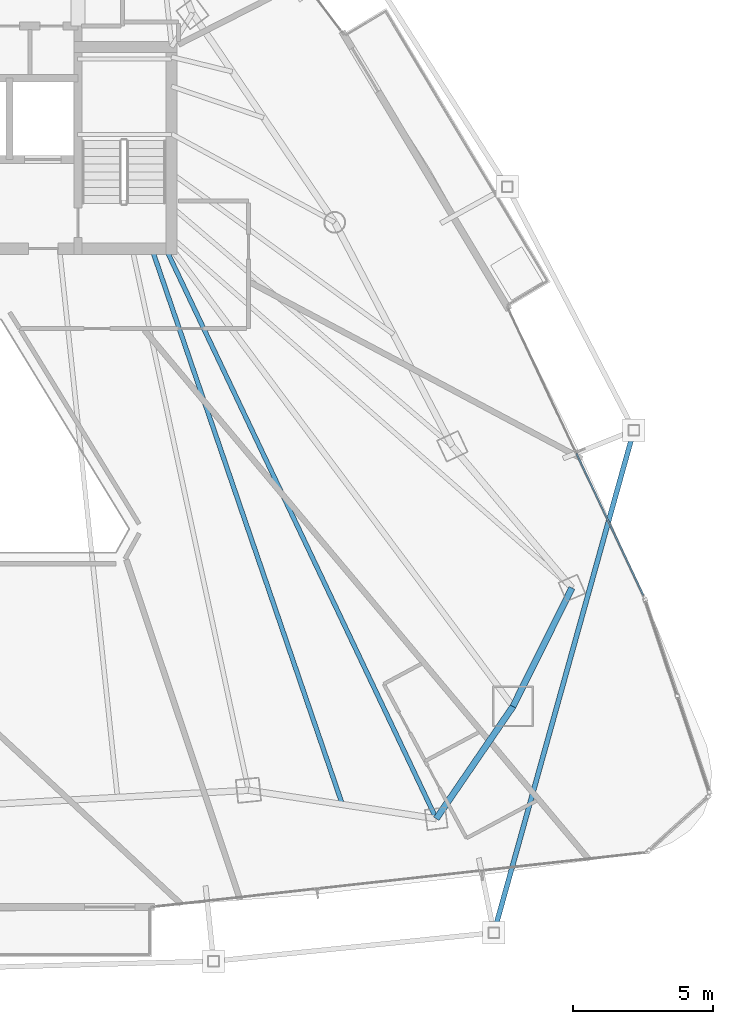
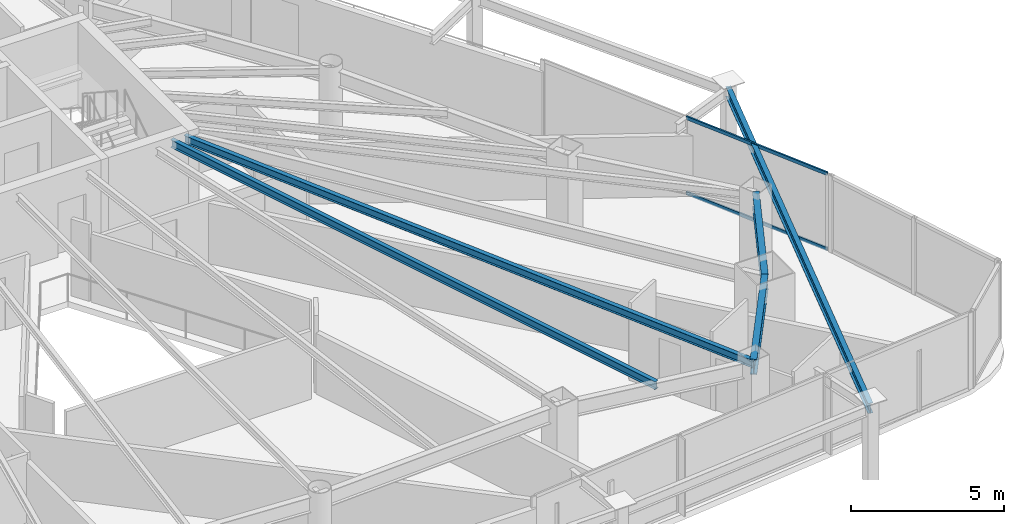
# One storey, part 14 of 31: 5 beams, 2 members, 1 element without a shape of its own.
"""IFC4 building model written with IfcOpenShell, lengths in metres."""

from ifc_helpers import new_model, si_unit, direction, frame, origin, origin_2d, place, context, subcontext, project, spatial, hollow_rectangle, i_section, extrude, material, layer, layer_set, material_profile, profile_set, type_object, element, aggregate, save


model = new_model("IFC4")

# Units and contexts
model_context = context("Model", 3, precision=1e-05, world=origin(), true_north=direction((0.0, 1.0)))
body_context = subcontext(model_context, "Body", "Model", "MODEL_VIEW")
ifc_project = project(units=[si_unit("LENGTHUNIT", "METRE"), si_unit("AREAUNIT", "SQUARE_METRE"), si_unit("VOLUMEUNIT", "CUBIC_METRE"), si_unit("PLANEANGLEUNIT", "RADIAN"), si_unit("MASSUNIT", "GRAM", prefix="KILO")], contexts=[model_context])

# Site, building, storey
site_placement = place(None, origin())
site = spatial("IfcSite", under=ifc_project, at=site_placement, CompositionType="ELEMENT")
building_placement = place(site_placement, origin())
building = spatial("IfcBuilding", under=site, at=building_placement, Name="Orvanel Arch Residences", CompositionType="ELEMENT")
storey_placement = place(building_placement, frame((0.0, 0.0, 133.10009765625)))
storey = spatial("IfcBuildingStorey", under=building, at=storey_placement, Name="L37", CompositionType="ELEMENT", Elevation=133.10009765625)

# Beams
ifc_material_1 = material(Name="Structural steel AS/NZS 3679.1 Grade 300 (300 MPa)", Category="steel")
ifc_material_profile_1 = material_profile(ifc_material_1, i_section(OverallWidth=0.1650390625, OverallDepth=0.303955078125, WebThickness=0.006103515625, FlangeThickness=0.01025390625, at=origin_2d()), Name="310UB40.4")
ifc_profile_set_1 = profile_set([ifc_material_profile_1], Name="Structural steel AS/NZS 3679.1 Grade 300 (300 MPa)")
beam_type_1 = type_object("IfcBeamType", Name="BJ-310UB", PredefinedType="JOIST", material=ifc_profile_set_1)
beam_1_placement = place(storey_placement, frame((39.39990234375, 26.699951171875, 2.907958984375), z_axis=(0.428614365266, -0.903487534993, 0.0), x_axis=(0.903487534993, 0.428614365266, 0.0)))
element("IfcBeam", 1, at=beam_1_placement, inside=storey, type_object=beam_type_1, Name="L37 MSE Wing Floor Joist", PredefinedType="JOIST", context=body_context, shape_type="SweptSolid", body=[
    extrude(i_section(OverallWidth=0.1650390625, OverallDepth=0.303955078125, WebThickness=0.006103515625, FlangeThickness=0.01025390625, at=origin_2d()), origin(), (0.0, 0.0, 1.0), 22.535888671875),
])
beam_2_placement = place(storey_placement, frame((38.89990234375, 26.699951171875, 2.907958984375), z_axis=(0.324257108963, -0.945968988544, 0.0), x_axis=(0.945968988544, 0.324257108963, 0.0)))
element("IfcBeam", 2, at=beam_2_placement, inside=storey, type_object=beam_type_1, Name="L37 JADD2 Wing Floor Joist", PredefinedType="JOIST", context=body_context, shape_type="SweptSolid", body=[
    extrude(i_section(OverallWidth=0.1650390625, OverallDepth=0.303955078125, WebThickness=0.006103515625, FlangeThickness=0.01025390625, at=origin_2d()), origin(), (0.0, 0.0, 1.0), 20.987060546875),
])
ifc_material_profile_2 = material_profile(ifc_material_1, i_section(OverallWidth=0.177978515625, OverallDepth=0.406005859375, WebThickness=0.0078125, FlangeThickness=0.0126953125, at=origin_2d()), Name="410UB59.7")
ifc_profile_set_2 = profile_set([ifc_material_profile_2], Name="Structural steel AS/NZS 3679.1 Grade 300 (300 MPa)")
beam_type_2 = type_object("IfcBeamType", Name="OB-410UB-EXT", PredefinedType="SPANDREL", material=ifc_profile_set_2)
beam_3_placement = place(storey_placement, frame((51.116943359375, 2.26708984375, 2.85693359375), z_axis=(0.268412192223, 0.963304155013, 0.0), x_axis=(-0.963304155013, 0.268412192223, 0.0)))
element("IfcBeam", 3, at=beam_3_placement, inside=storey, type_object=beam_type_2, Name="L37 Outer Perimeter Floor Ring Beam 08", PredefinedType="SPANDREL", context=body_context, shape_type="SweptSolid", body=[
    extrude(i_section(OverallWidth=0.177978515625, OverallDepth=0.406005859375, WebThickness=0.0078125, FlangeThickness=0.0126953125, at=origin_2d()), origin(), (0.0, 0.0, 1.0), 18.631591796875),
])
ifc_material_profile_3 = material_profile(ifc_material_1, i_section(OverallWidth=0.22900390625, OverallDepth=0.612060546875, WebThickness=0.011962890625, FlangeThickness=0.01953125, at=origin_2d()), Name="610UB125")
ifc_profile_set_3 = profile_set([ifc_material_profile_3], Name="Structural steel AS/NZS 3679.1 Grade 300 (300 MPa)")
beam_type_3 = type_object("IfcBeamType", Name="SP-610UB", PredefinedType="SPANDREL", material=ifc_profile_set_3)
beam_4_placement = place(storey_placement, frame((49.05908203125, 6.339111328125, 2.75390625), z_axis=(0.564251579852, 0.825602903722, 0.0), x_axis=(-0.825602903722, 0.564251579852, 0.0)))
element("IfcBeam", 4, at=beam_4_placement, inside=storey, type_object=beam_type_3, Name="L37 Perimeter Spandrel Beam 08", PredefinedType="SPANDREL", context=body_context, shape_type="SweptSolid", body=[
    extrude(i_section(OverallWidth=0.22900390625, OverallDepth=0.612060546875, WebThickness=0.011962890625, FlangeThickness=0.01953125, at=origin_2d()), origin(), (0.0, 0.0, 1.0), 4.859375),
])
beam_5_placement = place(storey_placement, frame((51.801025390625, 10.35107421875, 2.75390625), z_axis=(0.44543469453, 0.895314432425, 0.0), x_axis=(-0.895314432425, 0.44543469453, 0.0)))
element("IfcBeam", 5, at=beam_5_placement, inside=storey, type_object=beam_type_3, Name="L37 Perimeter Spandrel Beam 09", PredefinedType="SPANDREL", context=body_context, shape_type="SweptSolid", body=[
    extrude(i_section(OverallWidth=0.22900390625, OverallDepth=0.612060546875, WebThickness=0.011962890625, FlangeThickness=0.01953125, at=origin_2d()), origin(), (0.0, 0.0, 1.0), 4.723388671875),
])

# Curtain wall, members
ifc_material_2 = material(Name="Bronze-anodised aluminium AA6063-T6", Category="aluminium")
ifc_layer = layer(ifc_material_2, 0.179931640625)
ifc_layer_set = layer_set([ifc_layer], Name="Bronze-anodised aluminium AA6063-T6")
curtain_wall_type = type_object("IfcCurtainWallType", Name="CW3-MID-SYS", PredefinedType="NOTDEFINED", material=ifc_layer_set)
curtain_wall_placement = place(storey_placement, origin())
curtain_wall = element("IfcCurtainWall", 6, at=curtain_wall_placement, inside=storey, type_object=curtain_wall_type, Name="L37 CW3-MID-SYS Unitised Curtain Wall", PredefinedType="NOTDEFINED")
ifc_material_profile_4 = material_profile(ifc_material_2, hollow_rectangle(XDim=0.06005859375, YDim=0.135009765625, WallThickness=0.00390625, at=origin_2d()), Name="ALU135x60x4")
ifc_profile_set_4 = profile_set([ifc_material_profile_4], Name="Bronze-anodised aluminium AA6063-T6")
member_type = type_object("IfcMemberType", Name="TRN-135x60", PredefinedType="USERDEFINED", material=ifc_profile_set_4)
member_1_placement = place(storey_placement, frame((56.453125, 14.318359375, 0.02978515625), z_axis=(-0.426208344107, 0.904625031388, 0.0), x_axis=(-0.904625031388, -0.426208344107, 0.0)))
member_1 = element("IfcMember", 7, at=member_1_placement, type_object=member_type, Name="CW-S3 transom 1.1", ObjectType="TRANSOM", PredefinedType="USERDEFINED", context=body_context, shape_type="SweptSolid", body=[
    extrude(hollow_rectangle(XDim=0.06005859375, YDim=0.135009765625, WallThickness=0.00390625, at=origin_2d()), origin(), (0.0, 0.0, 1.0), 5.602294921875),
])
member_2_placement = place(storey_placement, frame((56.453125, 14.318359375, 3.02978515625), z_axis=(-0.426208344107, 0.904625031388, 0.0), x_axis=(-0.904625031388, -0.426208344107, 0.0)))
member_2 = element("IfcMember", 8, at=member_2_placement, type_object=member_type, Name="CW-S3 transom 1.2", ObjectType="TRANSOM", PredefinedType="USERDEFINED", context=body_context, shape_type="SweptSolid", body=[
    extrude(hollow_rectangle(XDim=0.06005859375, YDim=0.135009765625, WallThickness=0.00390625, at=origin_2d()), origin(), (0.0, 0.0, 1.0), 5.602294921875),
])
aggregate(curtain_wall, [member_1, member_2])

save(model, "model.ifc")
